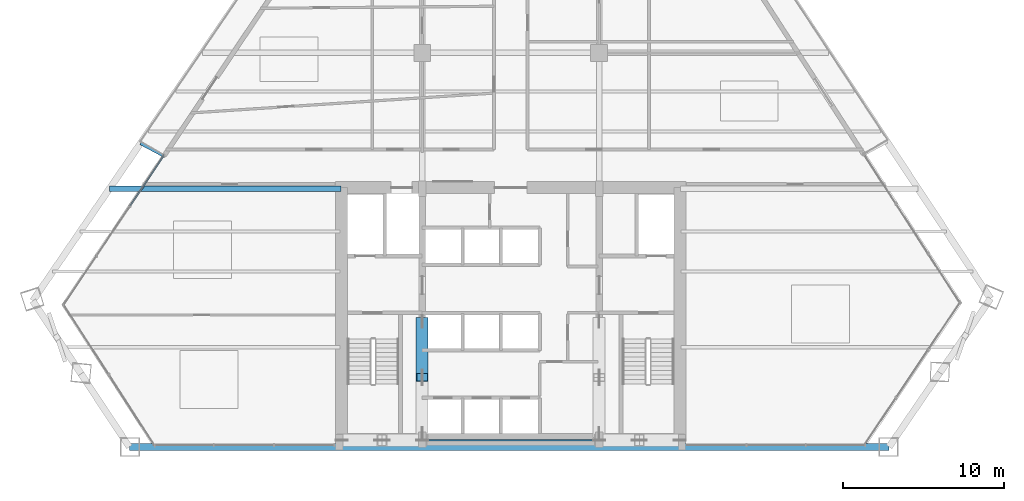
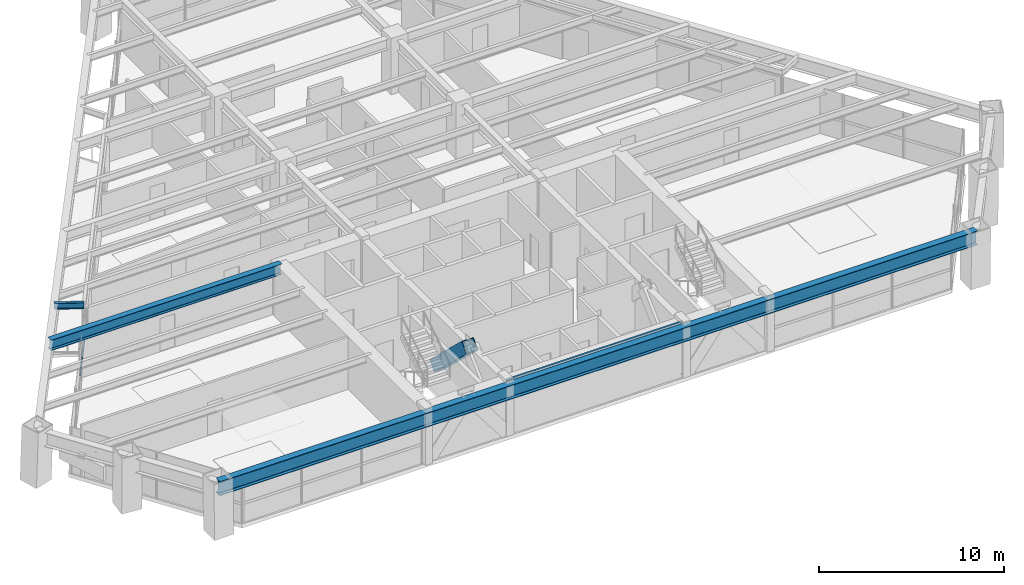
# One storey, part 3 of 14: 4 beams, 2 members, 1 element without a shape of its own.
"""IFC4 building model written with IfcOpenShell, lengths in metres."""

from ifc_helpers import new_model, si_unit, direction, frame, origin, origin_2d, place, context, subcontext, project, spatial, rectangle, hollow_rectangle, i_section, extrude, source, transform, mapped, material, material_profile, profile_set, type_object, type_shapes, element, aggregate, save


model = new_model("IFC4")

# Units and contexts
model_context = context("Model", 3, precision=1e-05, world=origin(), true_north=direction((0.0, 1.0)))
body_context = subcontext(model_context, "Body", "Model", "MODEL_VIEW")
ifc_project = project(units=[si_unit("LENGTHUNIT", "METRE"), si_unit("AREAUNIT", "SQUARE_METRE"), si_unit("VOLUMEUNIT", "CUBIC_METRE"), si_unit("PLANEANGLEUNIT", "RADIAN"), si_unit("MASSUNIT", "GRAM", prefix="KILO")], contexts=[model_context])

# Site, building, storey
site_placement = place(None, origin())
site = spatial("IfcSite", under=ifc_project, at=site_placement, CompositionType="ELEMENT")
building_placement = place(site_placement, origin())
building = spatial("IfcBuilding", under=site, at=building_placement, Name="Varnakhor Terracotta Tower", CompositionType="ELEMENT")
storey_placement = place(building_placement, frame((0.0, 0.0, 98.800048828125)))
storey = spatial("IfcBuildingStorey", under=building, at=storey_placement, Name="L24", CompositionType="ELEMENT", Elevation=98.800048828125)

# Beam
ifc_material_1 = material(Name="Steel S355", Category="steel")
ifc_material_profile_1 = material_profile(ifc_material_1, i_section(OverallWidth=0.1201171875, OverallDepth=0.239990234375, WebThickness=0.006103515625, FlangeThickness=0.009765625, FilletRadius=0.01806640625, at=origin_2d()), Name="IPE240")
ifc_profile_set_1 = profile_set([ifc_material_profile_1], Name="Steel S355")
beam_type_1 = type_object("IfcBeamType", Name="LNT-IPE240", PredefinedType="LINTEL", material=ifc_profile_set_1)
shared_shape_1 = source(origin(), body_context, "Body", "SweptSolid", [
    extrude(i_section(OverallWidth=0.1201171875, OverallDepth=0.239990234375, WebThickness=0.006103515625, FlangeThickness=0.009765625, FilletRadius=0.01806640625, at=origin_2d()), origin(), (0.0, 0.0, 1.0), 11.0),
])
type_shapes(beam_type_1, [shared_shape_1])
beam_1_placement = place(storey_placement, frame((-5.5, 0.419921875, 3.329833984375), z_axis=(1.0, 0.0, 0.0), x_axis=(0.0, 1.0, 0.0)))
element("IfcBeam", 1, at=beam_1_placement, inside=storey, type_object=beam_type_1, Name="L24 Core South Coupling Lintel", PredefinedType="LINTEL", context=body_context, shape_type="MappedRepresentation", body=[
    mapped(shared_shape_1, transform((0.0, 0.0, 0.0), scale=1.0)),
])

# Member
ifc_material_2 = material(Name="Steel S460", Category="steel")
ifc_material_profile_2 = material_profile(ifc_material_2, hollow_rectangle(XDim=0.75, YDim=0.75, WallThickness=0.044921875, at=origin_2d()), Name="HSS750X750X45")
ifc_profile_set_2 = profile_set([ifc_material_profile_2], Name="Steel S460")
member_type_1 = type_object("IfcMemberType", Name="MBR-MEGA-750", PredefinedType="BRACE", material=ifc_profile_set_2)
shared_shape_2 = source(origin(), body_context, "Body", "SweptSolid", [
    extrude(hollow_rectangle(XDim=0.75, YDim=0.75, WallThickness=0.044921875, at=origin_2d()), origin(), (0.0, 0.0, 1.0), 4.792236328125),
])
member_1_placement = place(storey_placement, frame((-5.5, 7.800048828125, 0.0), z_axis=(0.0, -0.72513424341, 0.688607529028), x_axis=(1.0, 0.0, 0.0)))
element("IfcMember", 2, at=member_1_placement, inside=storey, type_object=member_type_1, Name="L24 Core Coupled Brace CWWB", PredefinedType="BRACE", context=body_context, shape_type="MappedRepresentation", body=[
    mapped(shared_shape_2, transform((0.0, 0.0, 0.0), scale=1.0)),
])

# Beams
ifc_material_profile_3 = material_profile(ifc_material_1, i_section(OverallWidth=0.41796875, OverallDepth=0.927001953125, WebThickness=0.01904296875, FlangeThickness=0.031982421875, FilletRadius=0.01806640625, at=origin_2d()), Name="W36X231")
ifc_profile_set_3 = profile_set([ifc_material_profile_3], Name="Steel S355")
beam_type_2 = type_object("IfcBeamType", Name="BM-W36X231", PredefinedType="BEAM", material=ifc_profile_set_3)
shared_shape_3 = source(origin(), body_context, "Body", "SweptSolid", [
    extrude(i_section(OverallWidth=0.41796875, OverallDepth=0.927001953125, WebThickness=0.01904296875, FlangeThickness=0.031982421875, FilletRadius=0.01806640625, at=origin_2d()), origin(), (0.0, 0.0, 1.0), 47.236083984375),
])
beam_2_placement = place(storey_placement, frame((-23.710693359375, 0.0, 2.986572265625), z_axis=(1.0, 0.0, 0.0), x_axis=(0.0, 1.0, 0.0)))
element("IfcBeam", 3, at=beam_2_placement, inside=storey, type_object=beam_type_2, Name="L24 Perimeter Spandrel 1", PredefinedType="BEAM", context=body_context, shape_type="MappedRepresentation", body=[
    mapped(shared_shape_3, transform((0.0, 0.0, 0.0), scale=1.0)),
])
ifc_material_profile_4 = material_profile(ifc_material_1, i_section(OverallWidth=0.35498046875, OverallDepth=0.695068359375, WebThickness=0.014892578125, FlangeThickness=0.02490234375, FilletRadius=0.01806640625, at=origin_2d()), Name="W27X146")
ifc_profile_set_4 = profile_set([ifc_material_profile_4], Name="Steel S355")
beam_type_3 = type_object("IfcBeamType", Name="BM-W27X146", PredefinedType="BEAM", material=ifc_profile_set_4)
shared_shape_4 = source(origin(), body_context, "Body", "SweptSolid", [
    extrude(i_section(OverallWidth=0.35498046875, OverallDepth=0.695068359375, WebThickness=0.014892578125, FlangeThickness=0.02490234375, FilletRadius=0.01806640625, at=origin_2d()), origin(), (0.0, 0.0, 1.0), 14.397216796875),
])
beam_3_placement = place(storey_placement, frame((-24.947265625, 16.050048828125, 3.1025390625), z_axis=(1.0, 0.0, 0.0), x_axis=(0.0, 1.0, 0.0)))
element("IfcBeam", 4, at=beam_3_placement, inside=storey, type_object=beam_type_3, Name="L24 Wing Girder W", PredefinedType="BEAM", context=body_context, shape_type="MappedRepresentation", body=[
    mapped(shared_shape_4, transform((0.0, 0.0, 0.0), scale=1.0)),
])

# Curtain wall, member
ifc_material_3 = material(Name="Anodised Aluminium Curtain Wall System", Category="aluminium")
curtain_wall_type = type_object("IfcCurtainWallType", Name="CW-SYS-LOW-OFFICE", PredefinedType="NOTDEFINED", material=ifc_material_3)
curtain_wall_placement = place(storey_placement, origin())
curtain_wall = element("IfcCurtainWall", 5, at=curtain_wall_placement, inside=storey, type_object=curtain_wall_type, Name="L24 W Facet Curtain Wall 1", PredefinedType="NOTDEFINED")
ifc_material_4 = material(Name="Anodised Aluminium 6063-T6", Category="aluminium")
ifc_material_profile_5 = material_profile(ifc_material_4, rectangle(XDim=0.074951171875, YDim=0.1650390625, at=origin_2d()), Name="ALU TRANSOM 75x165")
ifc_profile_set_5 = profile_set([ifc_material_profile_5], Name="Anodised Aluminium 6063-T6")
member_type_2 = type_object("IfcMemberType", Name="CWT-02", PredefinedType="USERDEFINED", material=ifc_profile_set_5)
shared_shape_5 = source(origin(), body_context, "Body", "SweptSolid", [
    extrude(rectangle(XDim=0.074951171875, YDim=0.1650390625, at=origin_2d()), origin(), (0.0, 0.0, 1.0), 3.735107421875),
])
member_2_placement = place(storey_placement, frame((-23.6484375, 15.003173828125, 1.2724609375), z_axis=(0.557367248794, 0.830266071794, 0.0), x_axis=(-0.830266071794, 0.557367248794, 0.0)))
member_2 = element("IfcMember", 6, at=member_2_placement, type_object=member_type_2, Name="L24 W Facet Curtain Wall 1 Transom 3", ObjectType="TRANSOM", PredefinedType="USERDEFINED", context=body_context, shape_type="MappedRepresentation", body=[
    mapped(shared_shape_5, transform((0.0, 0.0, 0.0), scale=1.0)),
])
aggregate(curtain_wall, [member_2])

# Beam
ifc_material_profile_6 = material_profile(ifc_material_1, i_section(OverallWidth=0.179931640625, OverallDepth=0.39990234375, WebThickness=0.008544921875, FlangeThickness=0.013427734375, FilletRadius=0.01806640625, at=origin_2d()), Name="IPE400")
ifc_profile_set_6 = profile_set([ifc_material_profile_6], Name="Steel S355")
beam_type_4 = type_object("IfcBeamType", Name="JST-IPE400", PredefinedType="JOIST", material=ifc_profile_set_6)
shared_shape_6 = source(origin(), body_context, "Body", "SweptSolid", [
    extrude(i_section(OverallWidth=0.179931640625, OverallDepth=0.39990234375, WebThickness=0.008544921875, FlangeThickness=0.013427734375, FilletRadius=0.01806640625, at=origin_2d()), origin(), (0.0, 0.0, 1.0), 1.613037109375),
])
beam_4_placement = place(storey_placement, frame((-21.59130859375, 18.115966796875, 3.25), z_axis=(-0.88237388848, 0.470548956995, 0.0), x_axis=(-0.470548956995, -0.88237388848, 0.0)))
element("IfcBeam", 7, at=beam_4_placement, inside=storey, type_object=beam_type_4, Name="L25 W Loggia Tie Beam 1", PredefinedType="JOIST", context=body_context, shape_type="MappedRepresentation", body=[
    mapped(shared_shape_6, transform((0.0, 0.0, 0.0), scale=1.0)),
])

save(model, "model.ifc")
